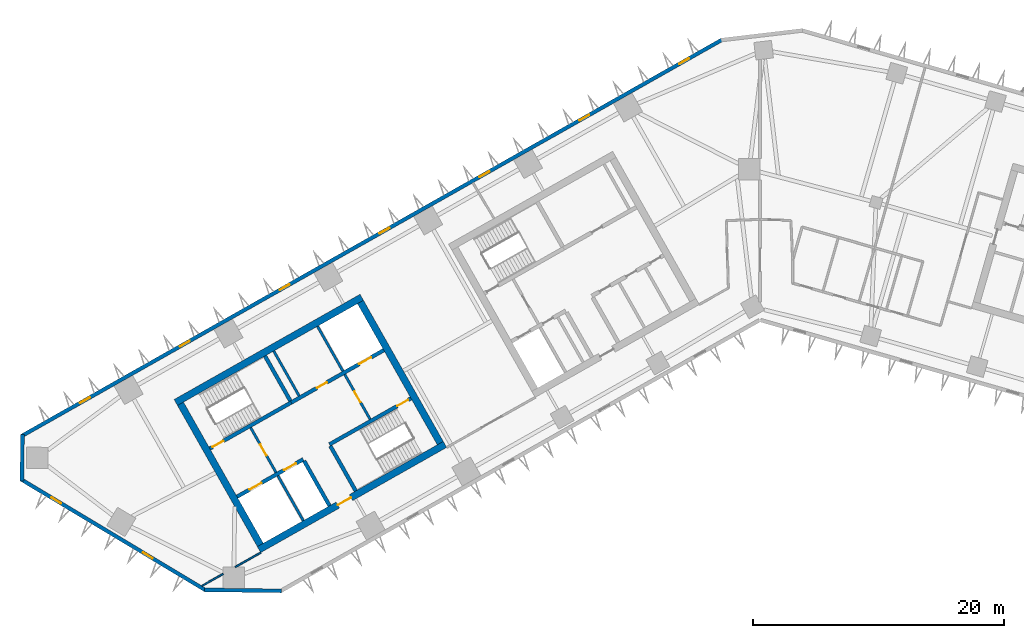
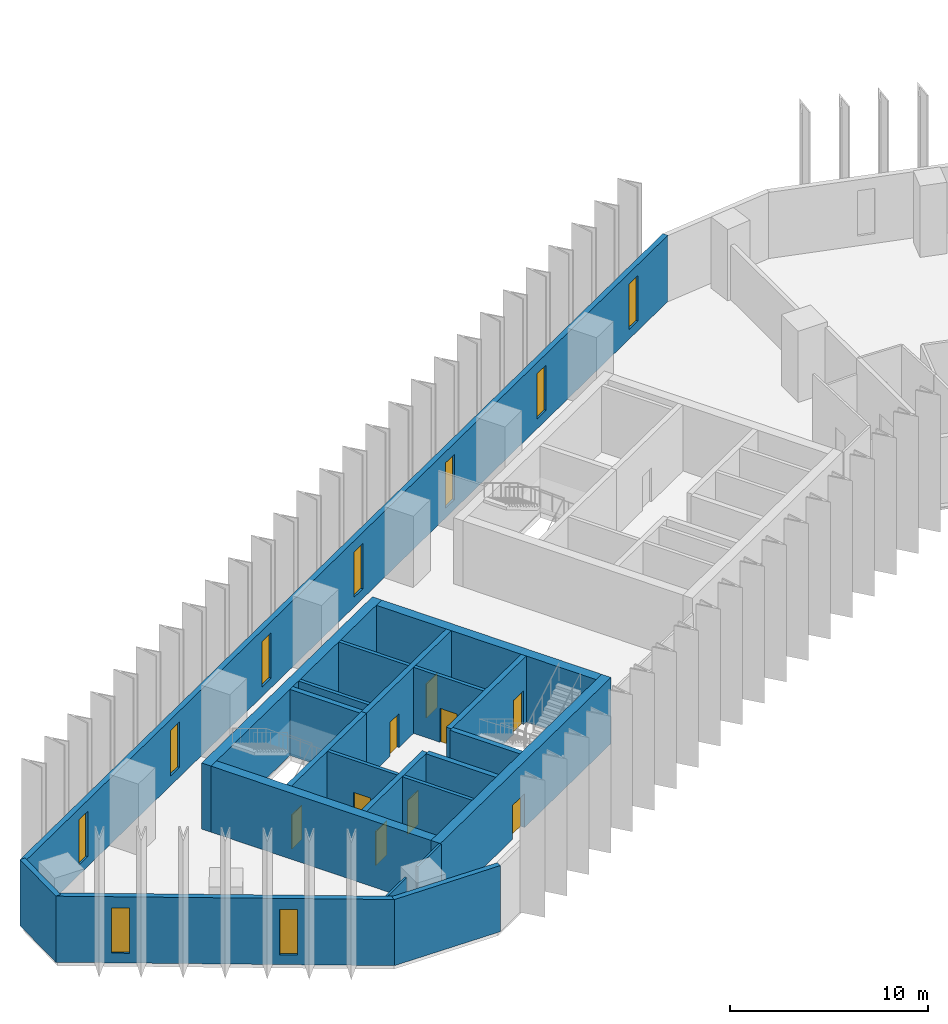
# One storey, part 3 of 11: 22 walls, 9 doors, 9 windows, 18 openings.
"""IFC4 building model written with IfcOpenShell, lengths in metres."""

from ifc_helpers import new_model, si_unit, direction, frame, frame_2d, origin, place, context, subcontext, project, spatial, rectangle, extrude, material, layer, layer_set, type_object, element, fill, save


model = new_model("IFC4")

# Units and contexts
model_context = context("Model", 3, precision=1e-05, world=origin(), true_north=direction((0.0, 1.0)))
body_context = subcontext(model_context, "Body", "Model", "MODEL_VIEW")
ifc_project = project(units=[si_unit("LENGTHUNIT", "METRE"), si_unit("AREAUNIT", "SQUARE_METRE"), si_unit("VOLUMEUNIT", "CUBIC_METRE"), si_unit("PLANEANGLEUNIT", "RADIAN"), si_unit("MASSUNIT", "GRAM", prefix="KILO")], contexts=[model_context])

# Site, building, storey
site_placement = place(None, origin())
site = spatial("IfcSite", under=ifc_project, at=site_placement, CompositionType="ELEMENT")
building_placement = place(site_placement, origin())
building = spatial("IfcBuilding", under=site, at=building_placement, Name="Binnacle Exchange Tower", CompositionType="ELEMENT")
storey_placement = place(building_placement, frame((0.0, 0.0, 141.10009765625)))
storey = spatial("IfcBuildingStorey", under=building, at=storey_placement, Name="L29", CompositionType="ELEMENT", Elevation=141.10009765625)

# Wall, openings, doors
ifc_material_1 = material(Name="Concrete C70/85", Category="concrete")
ifc_layer_1 = layer(ifc_material_1, 0.300048828125)
ifc_layer_set_1 = layer_set([ifc_layer_1], Name="Core wall - front 300")
wall_type_1 = type_object("IfcWallType", Name="Core wall - front 300", PredefinedType="SOLIDWALL", material=ifc_layer_set_1)
wall_1_placement = place(storey_placement, frame((-41.599609375, 33.936279296875, 0.0), z_axis=(0.0, 0.0, 1.0), x_axis=(0.870348557882, 0.492436176365, 0.0)))
wall_1 = element("IfcWall", 1, at=wall_1_placement, inside=storey, type_object=wall_type_1, Name="Core wall CRWA2", PredefinedType="SOLIDWALL", context=body_context, shape_type="SweptSolid", body=[
    extrude(rectangle(XDim=6.050048828125, YDim=0.300048828125, at=frame_2d((3.02490234375, 0.0))), origin(), (0.0, 0.0, 1.0), 4.079833984375),
])
opening_1_placement = place(wall_1_placement, frame((1.14990234375, 0.0, 0.0)))
opening_1 = element("IfcOpeningElement", 2, at=opening_1_placement, cuts=wall_1, Name="Opening LD12", PredefinedType="OPENING", context=body_context, shape_type="SweptSolid", body=[
    extrude(rectangle(XDim=1.10009765625, YDim=2.10009765625, at=frame_2d((0.550048828125, 1.050048828125))), frame((0.0, 0.159912109375, 0.0), z_axis=(0.0, -1.0, 0.0), x_axis=(1.0, 0.0, 0.0)), (0.0, 0.0, 1.0), 0.320068359375),
])
opening_2_placement = place(wall_1_placement, frame((4.300048828125, 0.0, 0.0)))
opening_2 = element("IfcOpeningElement", 3, at=opening_2_placement, cuts=wall_1, Name="Opening LD8", PredefinedType="OPENING", context=body_context, shape_type="SweptSolid", body=[
    extrude(rectangle(XDim=1.10009765625, YDim=2.10009765625, at=frame_2d((0.550048828125, 1.050048828125))), frame((0.0, 0.159912109375, 0.0), z_axis=(0.0, -1.0, 0.0), x_axis=(1.0, 0.0, 0.0)), (0.0, 0.0, 1.0), 0.320068359375),
])
ifc_material_2 = material(Name="Steel door leaf", Category="steel")
door_type_1 = type_object("IfcDoorType", Name="Fire door - lift landing 1100", OperationType="NOTDEFINED", PredefinedType="DOOR", material=ifc_material_2)
door_1_placement = place(opening_1_placement, origin())
door_1 = element("IfcDoor", 4, at=door_1_placement, inside=storey, type_object=door_type_1, Name="Landing door LD12 L29", OperationType="DOUBLE_DOOR_SLIDING", OverallHeight=2.10009765625, OverallWidth=1.10009765625, PredefinedType="DOOR", context=body_context, shape_type="SweptSolid", body=[
    extrude(rectangle(XDim=1.10009765625, YDim=2.10009765625, at=frame_2d((0.550048828125, 1.050048828125))), frame((0.0, 0.02490234375, 0.0), z_axis=(0.0, -1.0, 0.0), x_axis=(1.0, 0.0, 0.0)), (0.0, 0.0, 1.0), 0.050048828125),
])
fill(opening_1, door_1)
door_2_placement = place(opening_2_placement, origin())
door_2 = element("IfcDoor", 5, at=door_2_placement, inside=storey, type_object=door_type_1, Name="Landing door LD8 L29", OperationType="DOUBLE_DOOR_SLIDING", OverallHeight=2.10009765625, OverallWidth=1.10009765625, PredefinedType="DOOR", context=body_context, shape_type="SweptSolid", body=[
    extrude(rectangle(XDim=1.10009765625, YDim=2.10009765625, at=frame_2d((0.550048828125, 1.050048828125))), frame((0.0, 0.02490234375, 0.0), z_axis=(0.0, -1.0, 0.0), x_axis=(1.0, 0.0, 0.0)), (0.0, 0.0, 1.0), 0.050048828125),
])
fill(opening_2, door_2)

wall_2_placement = place(storey_placement, frame((-37.281982421875, 41.4345703125, 0.0), z_axis=(0.0, 0.0, 1.0), x_axis=(0.870359895813, 0.492416136779, 0.0)))
wall_2 = element("IfcWall", 6, at=wall_2_placement, inside=storey, type_object=wall_type_1, Name="Core wall CRWA5", PredefinedType="SOLIDWALL", context=body_context, shape_type="SweptSolid", body=[
    extrude(rectangle(XDim=8.449951171875, YDim=0.300048828125, at=frame_2d((4.22509765625, 0.0))), origin(), (0.0, 0.0, 1.0), 4.079833984375),
])
opening_3_placement = place(wall_2_placement, frame((6.199951171875, 0.0, 0.0)))
opening_3 = element("IfcOpeningElement", 7, at=opening_3_placement, cuts=wall_2, Name="Opening LD13", PredefinedType="OPENING", context=body_context, shape_type="SweptSolid", body=[
    extrude(rectangle(XDim=1.10009765625, YDim=2.10009765625, at=frame_2d((0.550048828125, 1.050048828125))), frame((0.0, 0.159912109375, 0.0), z_axis=(0.0, -1.0, 0.0), x_axis=(1.0, 0.0, 0.0)), (0.0, 0.0, 1.0), 0.320068359375),
])
opening_4_placement = place(wall_2_placement, frame((2.35009765625, 0.0, 0.0)))
opening_4 = element("IfcOpeningElement", 8, at=opening_4_placement, cuts=wall_2, Name="Opening DA10", PredefinedType="OPENING", context=body_context, shape_type="SweptSolid", body=[
    extrude(rectangle(XDim=0.89990234375, YDim=2.10009765625, at=frame_2d((0.449951171875, 1.050048828125))), frame((0.0, 0.159912109375, 0.0), z_axis=(0.0, -1.0, 0.0), x_axis=(1.0, 0.0, 0.0)), (0.0, 0.0, 1.0), 0.320068359375),
])
door_3_placement = place(opening_3_placement, origin())
door_3 = element("IfcDoor", 9, at=door_3_placement, inside=storey, type_object=door_type_1, Name="Landing door LD13 L29", OperationType="DOUBLE_DOOR_SLIDING", OverallHeight=2.10009765625, OverallWidth=1.10009765625, PredefinedType="DOOR", context=body_context, shape_type="SweptSolid", body=[
    extrude(rectangle(XDim=1.10009765625, YDim=2.10009765625, at=frame_2d((0.550048828125, 1.050048828125))), frame((0.0, 0.02490234375, 0.0), z_axis=(0.0, -1.0, 0.0), x_axis=(1.0, 0.0, 0.0)), (0.0, 0.0, 1.0), 0.050048828125),
])
fill(opening_3, door_3)
door_type_2 = type_object("IfcDoorType", Name="Fire door 900", OperationType="NOTDEFINED", PredefinedType="DOOR", material=ifc_material_2)
door_4_placement = place(opening_4_placement, origin())
door_4 = element("IfcDoor", 10, at=door_4_placement, inside=storey, type_object=door_type_2, Name="Core room door LINEN AND SUPPLIES STORE", OperationType="SINGLE_SWING_LEFT", OverallHeight=2.10009765625, OverallWidth=0.89990234375, PredefinedType="DOOR", context=body_context, shape_type="SweptSolid", body=[
    extrude(rectangle(XDim=0.89990234375, YDim=2.10009765625, at=frame_2d((0.449951171875, 1.050048828125))), frame((0.0, 0.02490234375, 0.0), z_axis=(0.0, -1.0, 0.0), x_axis=(1.0, 0.0, 0.0)), (0.0, 0.0, 1.0), 0.050048828125),
])
fill(opening_4, door_4)

# Wall
wall_3_placement = place(storey_placement, frame((-36.260009765625, 36.784912109375, 0.0), z_axis=(0.0, 0.0, 1.0), x_axis=(0.492408451753, -0.87036424366, 0.0)))
element("IfcWall", 11, at=wall_3_placement, inside=storey, type_object=wall_type_1, Name="Core wall CRWA13", PredefinedType="SOLIDWALL", context=body_context, shape_type="SweptSolid", body=[
    extrude(rectangle(XDim=4.099853515625, YDim=0.300048828125, at=frame_2d((2.0498046875, 0.0))), origin(), (0.0, 0.0, 1.0), 4.079833984375),
])

# Wall, opening, door
ifc_layer_2 = layer(ifc_material_1, 0.550048828125)
ifc_layer_set_2 = layer_set([ifc_layer_2], Name="Core wall - outer 550")
wall_type_2 = type_object("IfcWallType", Name="Core wall - outer 550", PredefinedType="SOLIDWALL", material=ifc_layer_set_2)
wall_4_placement = place(storey_placement, frame((-39.85009765625, 29.727294921875, 0.0), z_axis=(0.0, 0.0, 1.0), x_axis=(0.870359753402, 0.492416388494, 0.0)))
wall_4 = element("IfcWall", 12, at=wall_4_placement, inside=storey, type_object=wall_type_2, Name="Core wall CRWA1", PredefinedType="SOLIDWALL", context=body_context, shape_type="SweptSolid", body=[
    extrude(rectangle(XDim=17.0, YDim=0.550048828125, at=frame_2d((8.5, 0.0))), origin(), (0.0, 0.0, 1.0), 4.079833984375),
])
opening_5_placement = place(wall_4_placement, frame((7.199951171875, 0.0, 0.0)))
opening_5 = element("IfcOpeningElement", 13, at=opening_5_placement, cuts=wall_4, Name="Opening DA7", PredefinedType="OPENING", context=body_context, shape_type="SweptSolid", body=[
    extrude(rectangle(XDim=1.199951171875, YDim=2.10009765625, at=frame_2d((0.60009765625, 1.050048828125))), frame((0.0, 0.284912109375, 0.0), z_axis=(0.0, -1.0, 0.0), x_axis=(1.0, 0.0, 0.0)), (0.0, 0.0, 1.0), 0.570068359375),
])
door_type_3 = type_object("IfcDoorType", Name="Fire door 1200", OperationType="NOTDEFINED", PredefinedType="DOOR", material=ifc_material_2)
door_5_placement = place(opening_5_placement, frame((1.199951171875, 0.0, 0.0), z_axis=(0.0, 0.0, 1.0), x_axis=(-1.0, 0.0, 0.0)))
door_5 = element("IfcDoor", 14, at=door_5_placement, inside=storey, type_object=door_type_3, Name="Lift lobby entrance door core A", OperationType="SINGLE_SWING_RIGHT", OverallHeight=2.10009765625, OverallWidth=1.199951171875, PredefinedType="DOOR", context=body_context, shape_type="SweptSolid", body=[
    extrude(rectangle(XDim=1.199951171875, YDim=2.10009765625, at=frame_2d((0.60009765625, 1.050048828125))), frame((0.0, 0.02490234375, 0.0), z_axis=(0.0, -1.0, 0.0), x_axis=(1.0, 0.0, 0.0)), (0.0, 0.0, 1.0), 0.050048828125),
])
fill(opening_5, door_5)

# Walls
wall_5_placement = place(storey_placement, frame((-46.47314453125, 41.43359375, 0.0), z_axis=(0.0, 0.0, 1.0), x_axis=(0.870359753402, 0.492416388494, 0.0)))
element("IfcWall", 15, at=wall_5_placement, inside=storey, type_object=wall_type_2, Name="Core wall CRWA6", PredefinedType="SOLIDWALL", context=body_context, shape_type="SweptSolid", body=[
    extrude(rectangle(XDim=17.0, YDim=0.550048828125, at=frame_2d((8.5, 0.0))), origin(), (0.0, 0.0, 1.0), 4.079833984375),
])
wall_6_placement = place(storey_placement, frame((-46.098388671875, 41.32958984375, 0.0), z_axis=(0.0, 0.0, 1.0), x_axis=(0.492418910884, -0.870358326325, 0.0)))
element("IfcWall", 16, at=wall_6_placement, inside=storey, type_object=wall_type_2, Name="Core wall CRWA7", PredefinedType="SOLIDWALL", context=body_context, shape_type="SweptSolid", body=[
    extrude(rectangle(XDim=12.900146484375, YDim=0.550048828125, at=frame_2d((6.4501953125, 0.0))), origin(), (0.0, 0.0, 1.0), 4.079833984375),
])
wall_7_placement = place(storey_placement, frame((-31.781005859375, 49.429931640625, 0.0), z_axis=(0.0, 0.0, 1.0), x_axis=(0.492427022044, -0.870353737259, 0.0)))
element("IfcWall", 17, at=wall_7_placement, inside=storey, type_object=wall_type_2, Name="Core wall CRWA22", PredefinedType="SOLIDWALL", context=body_context, shape_type="SweptSolid", body=[
    extrude(rectangle(XDim=12.89990234375, YDim=0.550048828125, at=frame_2d((6.449951171875, 0.0))), origin(), (0.0, 0.0, 1.0), 4.079833984375),
])

# Wall, opening, door
ifc_layer_3 = layer(ifc_material_1, 0.300048828125)
ifc_layer_set_3 = layer_set([ifc_layer_3], Name="Core wall - stair 300")
wall_type_3 = type_object("IfcWallType", Name="Core wall - stair 300", PredefinedType="SOLIDWALL", material=ifc_layer_set_3)
wall_8_placement = place(storey_placement, frame((-34.2451171875, 38.097412109375, 0.0), z_axis=(0.0, 0.0, 1.0), x_axis=(0.870360741098, 0.49241464271, 0.0)))
wall_8 = element("IfcWall", 18, at=wall_8_placement, inside=storey, type_object=wall_type_3, Name="Core wall CRWA3", PredefinedType="SOLIDWALL", context=body_context, shape_type="SweptSolid", body=[
    extrude(rectangle(XDim=7.449951171875, YDim=0.300048828125, at=frame_2d((3.72509765625, 0.0))), origin(), (0.0, 0.0, 1.0), 4.079833984375),
])
opening_6_placement = place(wall_8_placement, frame((6.199951171875, 0.0, 0.0)))
opening_6 = element("IfcOpeningElement", 19, at=opening_6_placement, cuts=wall_8, Name="Opening DA2", PredefinedType="OPENING", context=body_context, shape_type="SweptSolid", body=[
    extrude(rectangle(XDim=1.0, YDim=2.10009765625, at=frame_2d((0.5, 1.050048828125))), frame((0.0, 0.159912109375, 0.0), z_axis=(0.0, -1.0, 0.0), x_axis=(1.0, 0.0, 0.0)), (0.0, 0.0, 1.0), 0.320068359375),
])
door_type_4 = type_object("IfcDoorType", Name="Fire door 1000", OperationType="NOTDEFINED", PredefinedType="DOOR", material=ifc_material_2)
door_6_placement = place(opening_6_placement, frame((1.0, 0.0, 0.0), z_axis=(0.0, 0.0, 1.0), x_axis=(-1.0, 0.0, 0.0)))
door_6 = element("IfcDoor", 20, at=door_6_placement, inside=storey, type_object=door_type_4, Name="Stair door ST-A2", OperationType="SINGLE_SWING_LEFT", OverallHeight=2.10009765625, OverallWidth=1.0, PredefinedType="DOOR", context=body_context, shape_type="SweptSolid", body=[
    extrude(rectangle(XDim=1.0, YDim=2.10009765625, at=frame_2d((0.5, 1.050048828125))), frame((0.0, 0.02490234375, 0.0), z_axis=(0.0, -1.0, 0.0), x_axis=(1.0, 0.0, 0.0)), (0.0, 0.0, 1.0), 0.050048828125),
])
fill(opening_6, door_6)

wall_9_placement = place(storey_placement, frame((-43.76611328125, 37.765869140625, 0.0), z_axis=(0.0, 0.0, 1.0), x_axis=(0.870346696097, 0.492439466932, 0.0)))
wall_9 = element("IfcWall", 21, at=wall_9_placement, inside=storey, type_object=wall_type_3, Name="Core wall CRWA4", PredefinedType="SOLIDWALL", context=body_context, shape_type="SweptSolid", body=[
    extrude(rectangle(XDim=7.449951171875, YDim=0.300048828125, at=frame_2d((3.72509765625, 0.0))), origin(), (0.0, 0.0, 1.0), 4.079833984375),
])
opening_7_placement = place(wall_9_placement, frame((0.25, 0.0, 0.0)))
opening_7 = element("IfcOpeningElement", 22, at=opening_7_placement, cuts=wall_9, Name="Opening DA1", PredefinedType="OPENING", context=body_context, shape_type="SweptSolid", body=[
    extrude(rectangle(XDim=1.0, YDim=2.10009765625, at=frame_2d((0.5, 1.050048828125))), frame((0.0, 0.159912109375, 0.0), z_axis=(0.0, -1.0, 0.0), x_axis=(1.0, 0.0, 0.0)), (0.0, 0.0, 1.0), 0.320068359375),
])
door_7_placement = place(opening_7_placement, origin())
door_7 = element("IfcDoor", 23, at=door_7_placement, inside=storey, type_object=door_type_4, Name="Stair door ST-A1", OperationType="SINGLE_SWING_LEFT", OverallHeight=2.10009765625, OverallWidth=1.0, PredefinedType="DOOR", context=body_context, shape_type="SweptSolid", body=[
    extrude(rectangle(XDim=1.0, YDim=2.10009765625, at=frame_2d((0.5, 1.050048828125))), frame((0.0, 0.02490234375, 0.0), z_axis=(0.0, -1.0, 0.0), x_axis=(1.0, 0.0, 0.0)), (0.0, 0.0, 1.0), 0.050048828125),
])
fill(opening_7, door_7)

# Walls
for number, where, z_axis, x_axis, name in (
    (24, (-39.375, 45.133544921875, 0.0), (0.0, 0.0, 1.0), (0.492428039142, -0.870353161807, 0.0), "Core wall CRWA14"),
    (25, (-34.171142578125, 37.966796875, 0.0), (0.0, 0.0, 1.0), (0.492382931784, -0.870378681085, 0.0), "Core wall CRWA16"),
):
    element("IfcWall", number, at=place(storey_placement, frame(where, z_axis=z_axis, x_axis=x_axis)), inside=storey, type_object=wall_type_3, Name=name, PredefinedType="SOLIDWALL", context=body_context, shape_type="SweptSolid", body=[
        extrude(rectangle(XDim=4.10009765625, YDim=0.300048828125, at=frame_2d((2.050048828125, 0.0))), origin(), (0.0, 0.0, 1.0), 4.079833984375),
    ])

# Wall, openings, windows
ifc_material_3 = material(Name="Bronze aluminium cladding", Category="aluminium")
ifc_layer_4 = layer(ifc_material_3, 0.300048828125)
ifc_layer_set_4 = layer_set([ifc_layer_4], Name="External wall - spandrel 300")
wall_type_4 = type_object("IfcWallType", Name="External wall - spandrel 300", PredefinedType="STANDARD", material=ifc_layer_set_4)
wall_10_placement = place(storey_placement, frame((-58.744873046875, 38.763671875, 0.0), z_axis=(0.0, 0.0, 1.0), x_axis=(0.870355811726, 0.492423355453, 0.0)))
wall_10 = element("IfcWall", 26, at=wall_10_placement, inside=storey, type_object=wall_type_4, Name="External wall EW-F03 L29", PredefinedType="STANDARD", context=body_context, shape_type="SweptSolid", body=[
    extrude(rectangle(XDim=64.025390625, YDim=0.300048828125, at=frame_2d((32.0126953125, 0.0))), origin(), (0.0, 0.0, 1.0), 4.079833984375),
])
opening_8_placement = place(wall_10_placement, frame((60.12158203125, 0.0, 0.60009765625)))
opening_8 = element("IfcOpeningElement", 27, at=opening_8_placement, cuts=wall_10, Name="Opening WS2", PredefinedType="OPENING", context=body_context, shape_type="SweptSolid", body=[
    extrude(rectangle(XDim=0.89990234375, YDim=2.800048828125, at=frame_2d((0.449951171875, 1.39990234375))), frame((0.0, 0.159912109375, 0.0), z_axis=(0.0, -1.0, 0.0), x_axis=(1.0, 0.0, 0.0)), (0.0, 0.0, 1.0), 0.320068359375),
])
opening_9_placement = place(wall_10_placement, frame((50.99169921875, 0.0, 0.60009765625)))
opening_9 = element("IfcOpeningElement", 28, at=opening_9_placement, cuts=wall_10, Name="Opening WS2", PredefinedType="OPENING", context=body_context, shape_type="SweptSolid", body=[
    extrude(rectangle(XDim=0.89990234375, YDim=2.800048828125, at=frame_2d((0.449951171875, 1.39990234375))), frame((0.0, 0.159912109375, 0.0), z_axis=(0.0, -1.0, 0.0), x_axis=(1.0, 0.0, 0.0)), (0.0, 0.0, 1.0), 0.320068359375),
])
opening_10_placement = place(wall_10_placement, frame((41.86181640625, 0.0, 0.60009765625)))
opening_10 = element("IfcOpeningElement", 29, at=opening_10_placement, cuts=wall_10, Name="Opening WS2", PredefinedType="OPENING", context=body_context, shape_type="SweptSolid", body=[
    extrude(rectangle(XDim=0.89990234375, YDim=2.800048828125, at=frame_2d((0.449951171875, 1.39990234375))), frame((0.0, 0.159912109375, 0.0), z_axis=(0.0, -1.0, 0.0), x_axis=(1.0, 0.0, 0.0)), (0.0, 0.0, 1.0), 0.320068359375),
])
opening_11_placement = place(wall_10_placement, frame((32.73193359375, 0.0, 0.60009765625)))
opening_11 = element("IfcOpeningElement", 30, at=opening_11_placement, cuts=wall_10, Name="Opening WS2", PredefinedType="OPENING", context=body_context, shape_type="SweptSolid", body=[
    extrude(rectangle(XDim=0.89990234375, YDim=2.800048828125, at=frame_2d((0.449951171875, 1.39990234375))), frame((0.0, 0.159912109375, 0.0), z_axis=(0.0, -1.0, 0.0), x_axis=(1.0, 0.0, 0.0)), (0.0, 0.0, 1.0), 0.320068359375),
])
opening_12_placement = place(wall_10_placement, frame((23.60205078125, 0.0, 0.60009765625)))
opening_12 = element("IfcOpeningElement", 31, at=opening_12_placement, cuts=wall_10, Name="Opening WS2", PredefinedType="OPENING", context=body_context, shape_type="SweptSolid", body=[
    extrude(rectangle(XDim=0.89990234375, YDim=2.800048828125, at=frame_2d((0.449951171875, 1.39990234375))), frame((0.0, 0.159912109375, 0.0), z_axis=(0.0, -1.0, 0.0), x_axis=(1.0, 0.0, 0.0)), (0.0, 0.0, 1.0), 0.320068359375),
])
opening_13_placement = place(wall_10_placement, frame((14.47216796875, 0.0, 0.60009765625)))
opening_13 = element("IfcOpeningElement", 32, at=opening_13_placement, cuts=wall_10, Name="Opening WS2", PredefinedType="OPENING", context=body_context, shape_type="SweptSolid", body=[
    extrude(rectangle(XDim=0.89990234375, YDim=2.800048828125, at=frame_2d((0.449951171875, 1.39990234375))), frame((0.0, 0.159912109375, 0.0), z_axis=(0.0, -1.0, 0.0), x_axis=(1.0, 0.0, 0.0)), (0.0, 0.0, 1.0), 0.320068359375),
])
opening_14_placement = place(wall_10_placement, frame((5.34228515625, 0.0, 0.60009765625)))
opening_14 = element("IfcOpeningElement", 33, at=opening_14_placement, cuts=wall_10, Name="Opening WS2", PredefinedType="OPENING", context=body_context, shape_type="SweptSolid", body=[
    extrude(rectangle(XDim=0.89990234375, YDim=2.800048828125, at=frame_2d((0.449951171875, 1.39990234375))), frame((0.0, 0.159912109375, 0.0), z_axis=(0.0, -1.0, 0.0), x_axis=(1.0, 0.0, 0.0)), (0.0, 0.0, 1.0), 0.320068359375),
])
ifc_material_4 = material(Name="Bronze anodised aluminium frame", Category="aluminium")
window_type = type_object("IfcWindowType", Name="WS2 WINDOW 900x2800", PartitioningType="SINGLE_PANEL", PredefinedType="WINDOW", material=ifc_material_4)
window_1_placement = place(opening_8_placement, origin())
window_1 = element("IfcWindow", 34, at=window_1_placement, inside=storey, type_object=window_type, Name="Window WS2 L29", OverallHeight=2.800048828125, OverallWidth=0.89990234375, PartitioningType="SINGLE_PANEL", PredefinedType="WINDOW", context=body_context, shape_type="SweptSolid", body=[
    extrude(rectangle(XDim=0.89990234375, YDim=2.800048828125, at=frame_2d((0.449951171875, 1.39990234375))), frame((0.0, 0.030029296875, 0.0), z_axis=(0.0, -1.0, 0.0), x_axis=(1.0, 0.0, 0.0)), (0.0, 0.0, 1.0), 0.06005859375),
])
fill(opening_8, window_1)
window_2_placement = place(opening_9_placement, origin())
window_2 = element("IfcWindow", 35, at=window_2_placement, inside=storey, type_object=window_type, Name="Window WS2 L29", OverallHeight=2.800048828125, OverallWidth=0.89990234375, PartitioningType="SINGLE_PANEL", PredefinedType="WINDOW", context=body_context, shape_type="SweptSolid", body=[
    extrude(rectangle(XDim=0.89990234375, YDim=2.800048828125, at=frame_2d((0.449951171875, 1.39990234375))), frame((0.0, 0.030029296875, 0.0), z_axis=(0.0, -1.0, 0.0), x_axis=(1.0, 0.0, 0.0)), (0.0, 0.0, 1.0), 0.06005859375),
])
fill(opening_9, window_2)
window_3_placement = place(opening_10_placement, origin())
window_3 = element("IfcWindow", 36, at=window_3_placement, inside=storey, type_object=window_type, Name="Window WS2 L29", OverallHeight=2.800048828125, OverallWidth=0.89990234375, PartitioningType="SINGLE_PANEL", PredefinedType="WINDOW", context=body_context, shape_type="SweptSolid", body=[
    extrude(rectangle(XDim=0.89990234375, YDim=2.800048828125, at=frame_2d((0.449951171875, 1.39990234375))), frame((0.0, 0.030029296875, 0.0), z_axis=(0.0, -1.0, 0.0), x_axis=(1.0, 0.0, 0.0)), (0.0, 0.0, 1.0), 0.06005859375),
])
fill(opening_10, window_3)
window_4_placement = place(opening_11_placement, origin())
window_4 = element("IfcWindow", 37, at=window_4_placement, inside=storey, type_object=window_type, Name="Window WS2 L29", OverallHeight=2.800048828125, OverallWidth=0.89990234375, PartitioningType="SINGLE_PANEL", PredefinedType="WINDOW", context=body_context, shape_type="SweptSolid", body=[
    extrude(rectangle(XDim=0.89990234375, YDim=2.800048828125, at=frame_2d((0.449951171875, 1.39990234375))), frame((0.0, 0.030029296875, 0.0), z_axis=(0.0, -1.0, 0.0), x_axis=(1.0, 0.0, 0.0)), (0.0, 0.0, 1.0), 0.06005859375),
])
fill(opening_11, window_4)
window_5_placement = place(opening_12_placement, origin())
window_5 = element("IfcWindow", 38, at=window_5_placement, inside=storey, type_object=window_type, Name="Window WS2 L29", OverallHeight=2.800048828125, OverallWidth=0.89990234375, PartitioningType="SINGLE_PANEL", PredefinedType="WINDOW", context=body_context, shape_type="SweptSolid", body=[
    extrude(rectangle(XDim=0.89990234375, YDim=2.800048828125, at=frame_2d((0.449951171875, 1.39990234375))), frame((0.0, 0.030029296875, 0.0), z_axis=(0.0, -1.0, 0.0), x_axis=(1.0, 0.0, 0.0)), (0.0, 0.0, 1.0), 0.06005859375),
])
fill(opening_12, window_5)
window_6_placement = place(opening_13_placement, origin())
window_6 = element("IfcWindow", 39, at=window_6_placement, inside=storey, type_object=window_type, Name="Window WS2 L29", OverallHeight=2.800048828125, OverallWidth=0.89990234375, PartitioningType="SINGLE_PANEL", PredefinedType="WINDOW", context=body_context, shape_type="SweptSolid", body=[
    extrude(rectangle(XDim=0.89990234375, YDim=2.800048828125, at=frame_2d((0.449951171875, 1.39990234375))), frame((0.0, 0.030029296875, 0.0), z_axis=(0.0, -1.0, 0.0), x_axis=(1.0, 0.0, 0.0)), (0.0, 0.0, 1.0), 0.06005859375),
])
fill(opening_13, window_6)
window_7_placement = place(opening_14_placement, origin())
window_7 = element("IfcWindow", 40, at=window_7_placement, inside=storey, type_object=window_type, Name="Window WS2 L29", OverallHeight=2.800048828125, OverallWidth=0.89990234375, PartitioningType="SINGLE_PANEL", PredefinedType="WINDOW", context=body_context, shape_type="SweptSolid", body=[
    extrude(rectangle(XDim=0.89990234375, YDim=2.800048828125, at=frame_2d((0.449951171875, 1.39990234375))), frame((0.0, 0.030029296875, 0.0), z_axis=(0.0, -1.0, 0.0), x_axis=(1.0, 0.0, 0.0)), (0.0, 0.0, 1.0), 0.06005859375),
])
fill(opening_14, window_7)

# Wall
wall_11_placement = place(storey_placement, frame((-58.717041015625, 35.19384765625, 0.0), z_axis=(0.0, 0.0, 1.0), x_axis=(0.013069053407, 0.999914596275, 0.0)))
element("IfcWall", 41, at=wall_11_placement, inside=storey, type_object=wall_type_4, Name="External wall EW-F04 L29", PredefinedType="STANDARD", context=body_context, shape_type="SweptSolid", body=[
    extrude(rectangle(XDim=3.69873046875, YDim=0.300048828125, at=frame_2d((1.849365234375, 0.0))), origin(), (0.0, 0.0, 1.0), 4.079833984375),
])

# Wall, openings, windows
wall_12_placement = place(storey_placement, frame((-44.109375, 26.503662109375, 0.0), z_axis=(0.0, 0.0, 1.0), x_axis=(-0.857169502585, 0.515034410344, 0.0)))
wall_12 = element("IfcWall", 42, at=wall_12_placement, inside=storey, type_object=wall_type_4, Name="External wall EW-F05 L29", PredefinedType="STANDARD", context=body_context, shape_type="SweptSolid", body=[
    extrude(rectangle(XDim=17.126708984375, YDim=0.300048828125, at=frame_2d((8.5634765625, 0.0))), origin(), (0.0, 0.0, 1.0), 4.079833984375),
])
opening_15_placement = place(wall_12_placement, frame((13.403076171875, 0.0, 0.60009765625)))
opening_15 = element("IfcOpeningElement", 43, at=opening_15_placement, cuts=wall_12, Name="Opening WS2", PredefinedType="OPENING", context=body_context, shape_type="SweptSolid", body=[
    extrude(rectangle(XDim=0.89990234375, YDim=2.800048828125, at=frame_2d((0.449951171875, 1.39990234375))), frame((0.0, 0.159912109375, 0.0), z_axis=(0.0, -1.0, 0.0), x_axis=(1.0, 0.0, 0.0)), (0.0, 0.0, 1.0), 0.320068359375),
])
opening_16_placement = place(wall_12_placement, frame((4.903076171875, 0.0, 0.60009765625)))
opening_16 = element("IfcOpeningElement", 44, at=opening_16_placement, cuts=wall_12, Name="Opening WS2", PredefinedType="OPENING", context=body_context, shape_type="SweptSolid", body=[
    extrude(rectangle(XDim=0.89990234375, YDim=2.800048828125, at=frame_2d((0.449951171875, 1.39990234375))), frame((0.0, 0.159912109375, 0.0), z_axis=(0.0, -1.0, 0.0), x_axis=(1.0, 0.0, 0.0)), (0.0, 0.0, 1.0), 0.320068359375),
])
window_8_placement = place(opening_15_placement, origin())
window_8 = element("IfcWindow", 45, at=window_8_placement, inside=storey, type_object=window_type, Name="Window WS2 L29", OverallHeight=2.800048828125, OverallWidth=0.89990234375, PartitioningType="SINGLE_PANEL", PredefinedType="WINDOW", context=body_context, shape_type="SweptSolid", body=[
    extrude(rectangle(XDim=0.89990234375, YDim=2.800048828125, at=frame_2d((0.449951171875, 1.39990234375))), frame((0.0, 0.030029296875, 0.0), z_axis=(0.0, -1.0, 0.0), x_axis=(1.0, 0.0, 0.0)), (0.0, 0.0, 1.0), 0.06005859375),
])
fill(opening_15, window_8)
window_9_placement = place(opening_16_placement, origin())
window_9 = element("IfcWindow", 46, at=window_9_placement, inside=storey, type_object=window_type, Name="Window WS2 L29", OverallHeight=2.800048828125, OverallWidth=0.89990234375, PartitioningType="SINGLE_PANEL", PredefinedType="WINDOW", context=body_context, shape_type="SweptSolid", body=[
    extrude(rectangle(XDim=0.89990234375, YDim=2.800048828125, at=frame_2d((0.449951171875, 1.39990234375))), frame((0.0, 0.030029296875, 0.0), z_axis=(0.0, -1.0, 0.0), x_axis=(1.0, 0.0, 0.0)), (0.0, 0.0, 1.0), 0.06005859375),
])
fill(opening_16, window_9)

# Wall
wall_13_placement = place(storey_placement, frame((-38.057373046875, 26.44482421875, 0.0), z_axis=(0.0, 0.0, 1.0), x_axis=(-0.999914086342, 0.013108010296, 0.0)))
element("IfcWall", 47, at=wall_13_placement, inside=storey, type_object=wall_type_4, Name="External wall EW-F06 L29", PredefinedType="STANDARD", context=body_context, shape_type="SweptSolid", body=[
    extrude(rectangle(XDim=6.127685546875, YDim=0.300048828125, at=frame_2d((3.06396484375, 0.0))), origin(), (0.0, 0.0, 1.0), 4.079833984375),
])

# Wall, opening, door
ifc_material_5 = material(Name="Masonry block wall", Category="masonry")
ifc_layer_5 = layer(ifc_material_5, 0.199951171875)
ifc_layer_set_5 = layer_set([ifc_layer_5], Name="Fire wall - vestibule 200")
wall_type_5 = type_object("IfcWallType", Name="Fire wall - vestibule 200", PredefinedType="PARTITIONING", material=ifc_layer_set_5)
wall_14_placement = place(storey_placement, frame((-40.515625, 39.4326171875, 0.0), z_axis=(0.0, 0.0, 1.0), x_axis=(0.492453559952, -0.87033872216, 0.0)))
wall_14 = element("IfcWall", 48, at=wall_14_placement, inside=storey, type_object=wall_type_5, Name="Core wall CRWA10", PredefinedType="PARTITIONING", context=body_context, shape_type="SweptSolid", body=[
    extrude(rectangle(XDim=4.099853515625, YDim=0.199951171875, at=frame_2d((2.0498046875, 0.0))), origin(), (0.0, 0.0, 1.0), 4.079833984375),
])
opening_17_placement = place(wall_14_placement, frame((1.550048828125, 0.0, 0.0)))
opening_17 = element("IfcOpeningElement", 49, at=opening_17_placement, cuts=wall_14, Name="Opening DA3", PredefinedType="OPENING", context=body_context, shape_type="SweptSolid", body=[
    extrude(rectangle(XDim=1.0, YDim=2.10009765625, at=frame_2d((0.5, 1.050048828125))), frame((0.0, 0.10986328125, 0.0), z_axis=(0.0, -1.0, 0.0), x_axis=(1.0, 0.0, 0.0)), (0.0, 0.0, 1.0), 0.219970703125),
])
door_8_placement = place(opening_17_placement, frame((1.0, 0.0, 0.0), z_axis=(0.0, 0.0, 1.0), x_axis=(-1.0, 0.0, 0.0)))
door_8 = element("IfcDoor", 50, at=door_8_placement, inside=storey, type_object=door_type_4, Name="Vestibule door VEST-W", OperationType="SINGLE_SWING_LEFT", OverallHeight=2.10009765625, OverallWidth=1.0, PredefinedType="DOOR", context=body_context, shape_type="SweptSolid", body=[
    extrude(rectangle(XDim=1.0, YDim=2.10009765625, at=frame_2d((0.5, 1.050048828125))), frame((0.0, 0.02490234375, 0.0), z_axis=(0.0, -1.0, 0.0), x_axis=(1.0, 0.0, 0.0)), (0.0, 0.0, 1.0), 0.050048828125),
])
fill(opening_17, door_8)

wall_15_placement = place(storey_placement, frame((-33.030517578125, 43.66748046875, 0.0), z_axis=(0.0, 0.0, 1.0), x_axis=(0.492408451753, -0.87036424366, 0.0)))
wall_15 = element("IfcWall", 51, at=wall_15_placement, inside=storey, type_object=wall_type_5, Name="Core wall CRWA19", PredefinedType="PARTITIONING", context=body_context, shape_type="SweptSolid", body=[
    extrude(rectangle(XDim=4.099853515625, YDim=0.199951171875, at=frame_2d((2.0498046875, 0.0))), origin(), (0.0, 0.0, 1.0), 4.079833984375),
])
opening_18_placement = place(wall_15_placement, frame((1.550048828125, 0.0, 0.0)))
opening_18 = element("IfcOpeningElement", 52, at=opening_18_placement, cuts=wall_15, Name="Opening DA4", PredefinedType="OPENING", context=body_context, shape_type="SweptSolid", body=[
    extrude(rectangle(XDim=1.0, YDim=2.10009765625, at=frame_2d((0.5, 1.050048828125))), frame((0.0, 0.10986328125, 0.0), z_axis=(0.0, -1.0, 0.0), x_axis=(1.0, 0.0, 0.0)), (0.0, 0.0, 1.0), 0.219970703125),
])
door_9_placement = place(opening_18_placement, origin())
door_9 = element("IfcDoor", 53, at=door_9_placement, inside=storey, type_object=door_type_4, Name="Vestibule door VEST-E", OperationType="SINGLE_SWING_RIGHT", OverallHeight=2.10009765625, OverallWidth=1.0, PredefinedType="DOOR", context=body_context, shape_type="SweptSolid", body=[
    extrude(rectangle(XDim=1.0, YDim=2.10009765625, at=frame_2d((0.5, 1.050048828125))), frame((0.0, 0.02490234375, 0.0), z_axis=(0.0, -1.0, 0.0), x_axis=(1.0, 0.0, 0.0)), (0.0, 0.0, 1.0), 0.050048828125),
])
fill(opening_18, door_9)

# Walls
ifc_material_6 = material(Name="Gypsum partition")
ifc_layer_6 = layer(ifc_material_6, 0.125)
ifc_layer_set_6 = layer_set([ifc_layer_6], Name="Partition 125")
wall_type_6 = type_object("IfcWallType", Name="Partition 125", PredefinedType="PARTITIONING", material=ifc_layer_set_6)
wall_16_placement = place(storey_placement, frame((-44.385986328125, 26.844970703125, 0.0), z_axis=(0.0, 0.0, 1.0), x_axis=(0.870226201187, 0.492652371118, 0.0)))
element("IfcWall", 54, at=wall_16_placement, inside=storey, type_object=wall_type_6, Name="Partition W01", PredefinedType="PARTITIONING", context=body_context, shape_type="SweptSolid", body=[
    extrude(rectangle(XDim=1.9326171875, YDim=0.125, at=frame_2d((0.96630859375, 0.0))), origin(), (0.0, 0.0, 1.0), 4.079833984375),
])
wall_17_placement = place(storey_placement, frame((-41.738037109375, 28.343017578125, 0.0), z_axis=(0.0, 0.0, 1.0), x_axis=(0.870265350095, 0.492583211676, 0.0)))
element("IfcWall", 55, at=wall_17_placement, inside=storey, type_object=wall_type_6, Name="Partition W02", PredefinedType="PARTITIONING", context=body_context, shape_type="SweptSolid", body=[
    extrude(rectangle(XDim=2.324462890625, YDim=0.125, at=frame_2d((1.162109375, 0.0))), origin(), (0.0, 0.0, 1.0), 4.079833984375),
])
ifc_layer_7 = layer(ifc_material_5, 0.199951171875)
ifc_layer_set_7 = layer_set([ifc_layer_7], Name="Riser wall 200")
wall_type_7 = type_object("IfcWallType", Name="Riser wall 200", PredefinedType="SOLIDWALL", material=ifc_layer_set_7)
wall_18_placement = place(storey_placement, frame((-38.6787109375, 45.52734375, 0.0), z_axis=(0.0, 0.0, 1.0), x_axis=(0.492453559952, -0.87033872216, 0.0)))
element("IfcWall", 56, at=wall_18_placement, inside=storey, type_object=wall_type_7, Name="Core wall CRWA15", PredefinedType="SOLIDWALL", context=body_context, shape_type="SweptSolid", body=[
    extrude(rectangle(XDim=4.099853515625, YDim=0.199951171875, at=frame_2d((2.0498046875, 0.0))), origin(), (0.0, 0.0, 1.0), 4.079833984375),
])
ifc_layer_8 = layer(ifc_material_5, 0.199951171875)
ifc_layer_set_8 = layer_set([ifc_layer_8], Name="Shaft wall 200")
wall_type_8 = type_object("IfcWallType", Name="Shaft wall 200", PredefinedType="SOLIDWALL", material=ifc_layer_set_8)
wall_19_placement = place(storey_placement, frame((-38.348876953125, 35.603271484375, 0.0), z_axis=(0.0, 0.0, 1.0), x_axis=(0.492382931784, -0.870378681085, 0.0)))
element("IfcWall", 57, at=wall_19_placement, inside=storey, type_object=wall_type_8, Name="Core wall CRWA9", PredefinedType="SOLIDWALL", context=body_context, shape_type="SweptSolid", body=[
    extrude(rectangle(XDim=4.10009765625, YDim=0.199951171875, at=frame_2d((2.050048828125, 0.0))), origin(), (0.0, 0.0, 1.0), 4.079833984375),
])
wall_20_placement = place(storey_placement, frame((-35.197265625, 47.4970703125, 0.0), z_axis=(0.0, 0.0, 1.0), x_axis=(0.492453559952, -0.87033872216, 0.0)))
element("IfcWall", 58, at=wall_20_placement, inside=storey, type_object=wall_type_8, Name="Core wall CRWA21", PredefinedType="SOLIDWALL", context=body_context, shape_type="SweptSolid", body=[
    extrude(rectangle(XDim=4.099853515625, YDim=0.199951171875, at=frame_2d((2.0498046875, 0.0))), origin(), (0.0, 0.0, 1.0), 4.079833984375),
])

save(model, "model.ifc")
